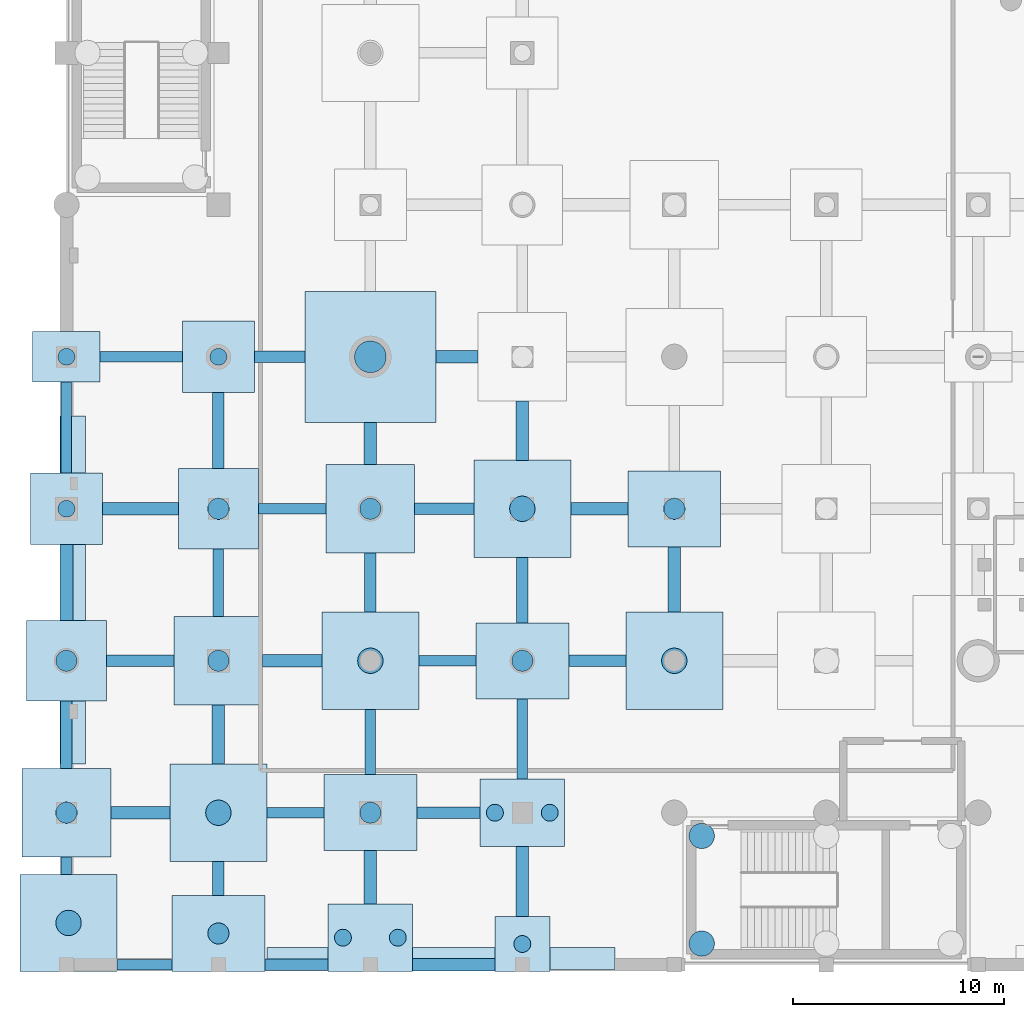
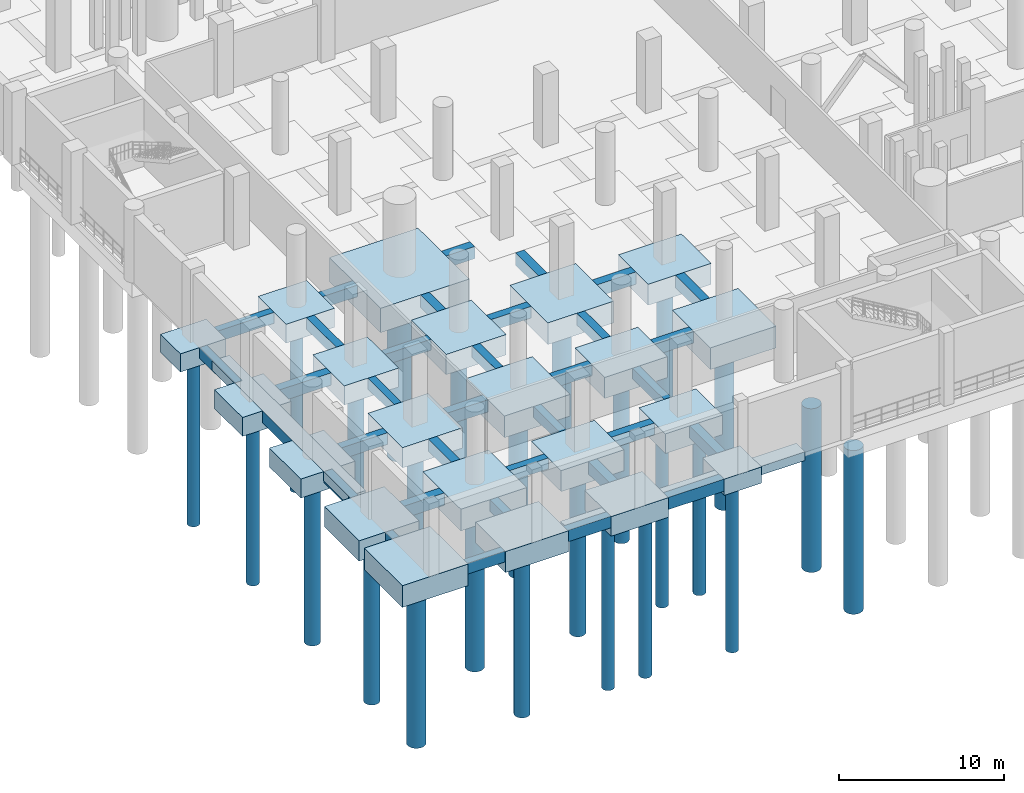
# One storey, part 1 of 37: 57 footings, 25 piles.
"""IFC4 building model written with IfcOpenShell, lengths in metres."""

from ifc_helpers import new_model, si_unit, direction, frame, origin, origin_2d, place, context, subcontext, project, spatial, rectangle, circle, extrude, material, material_profile, profile_set, type_object, element, save


model = new_model("IFC4")

# Units and contexts
model_context = context("Model", 3, precision=1e-05, world=origin(), true_north=direction((0.0, 1.0)))
body_context = subcontext(model_context, "Body", "Model", "MODEL_VIEW")
ifc_project = project(units=[si_unit("LENGTHUNIT", "METRE"), si_unit("AREAUNIT", "SQUARE_METRE"), si_unit("VOLUMEUNIT", "CUBIC_METRE"), si_unit("PLANEANGLEUNIT", "RADIAN"), si_unit("MASSUNIT", "GRAM", prefix="KILO")], contexts=[model_context])

# Site, building, storey
site_placement = place(None, origin())
site = spatial("IfcSite", under=ifc_project, at=site_placement, CompositionType="ELEMENT")
building_placement = place(site_placement, origin())
building = spatial("IfcBuilding", under=site, at=building_placement, Name="Qandorah Velis Arena", CompositionType="ELEMENT")
storey_placement = place(building_placement, frame((0.0, 0.0, -5.39990234375)))
storey = spatial("IfcBuildingStorey", under=building, at=storey_placement, Name="B1", CompositionType="ELEMENT", Elevation=-5.39990234375)

# Footings
ifc_material = material(Name="Concrete C40/50", Category="concrete")
footing_type_1 = type_object("IfcFootingType", Name="STR-CAP-PC1", PredefinedType="PILE_CAP", material=ifc_material)
footing_1_placement = place(storey_placement, frame((14.39990234375, 28.800048828125, -1.80029296875), z_axis=(0.0, 0.0, 1.0), x_axis=(1.0, 0.0, 0.0)))
element("IfcFooting", 1, at=footing_1_placement, inside=storey, type_object=footing_type_1, Name="Pile cap CAP-B1-042", PredefinedType="PILE_CAP", context=body_context, shape_type="SweptSolid", body=[
    extrude(rectangle(XDim=6.199951171875, YDim=6.199951171875, at=origin_2d()), origin(), (0.0, 0.0, 1.0), 1.800048828125),
])
footing_type_2 = type_object("IfcFootingType", Name="STR-CAP-PC10", PredefinedType="PILE_CAP", material=ifc_material)
footing_2_placement = place(storey_placement, frame((21.60009765625, 0.97998046875, -1.2001953125), z_axis=(0.0, 0.0, 1.0), x_axis=(1.0, 0.0, 0.0)))
element("IfcFooting", 2, at=footing_2_placement, inside=storey, type_object=footing_type_2, Name="Pile cap CAP-B1-057", PredefinedType="PILE_CAP", context=body_context, shape_type="SweptSolid", body=[
    extrude(rectangle(XDim=2.60009765625, YDim=2.60009765625, at=origin_2d()), origin(), (0.0, 0.0, 1.0), 1.199951171875),
])
footing_type_3 = type_object("IfcFootingType", Name="STR-CAP-PC14", PredefinedType="PILE_CAP", material=ifc_material)
for number, where, z_axis, x_axis, name in (
    (3, (14.39990234375, 1.280029296875, -1.4501953125), (0.0, 0.0, 1.0), (1.0, 0.0, 0.0), "Pile cap CAP-B1-038"),
    (4, (21.60009765625, 7.199951171875, -1.4501953125), (0.0, 0.0, 1.0), (1.0, 0.0, 0.0), "Pile cap CAP-B1-058"),
):
    element("IfcFooting", number, at=place(storey_placement, frame(where, z_axis=z_axis, x_axis=x_axis)), inside=storey, type_object=footing_type_3, Name=name, PredefinedType="PILE_CAP", context=body_context, shape_type="SweptSolid", body=[
        extrude(rectangle(XDim=4.0, YDim=3.199951171875, at=origin_2d()), origin(), (0.0, 0.0, 1.0), 1.449951171875),
    ])
footing_type_4 = type_object("IfcFootingType", Name="STR-CAP-PC15", PredefinedType="PILE_CAP", material=ifc_material)
for number, where, z_axis, x_axis, name in (
    (5, (7.199951171875, 1.47998046875, -1.55029296875), (0.0, 0.0, 1.0), (1.0, 0.0, 0.0), "Pile cap CAP-B1-019"),
    (6, (14.39990234375, 7.199951171875, -1.55029296875), (0.0, 0.0, 1.0), (1.0, 0.0, 0.0), "Pile cap CAP-B1-039"),
    (7, (21.60009765625, 14.39990234375, -1.55029296875), (0.0, 0.0, 1.0), (1.0, 0.0, 0.0), "Pile cap CAP-B1-059"),
    (8, (28.800048828125, 21.60009765625, -1.55029296875), (0.0, 0.0, 1.0), (1.0, 0.0, 0.0), "Pile cap CAP-B1-079"),
):
    element("IfcFooting", number, at=place(storey_placement, frame(where, z_axis=z_axis, x_axis=x_axis)), inside=storey, type_object=footing_type_4, Name=name, PredefinedType="PILE_CAP", context=body_context, shape_type="SweptSolid", body=[
        extrude(rectangle(XDim=4.39990234375, YDim=3.60009765625, at=origin_2d()), origin(), (0.0, 0.0, 1.0), 1.550048828125),
    ])
footing_type_5 = type_object("IfcFootingType", Name="STR-CAP-PC3", PredefinedType="PILE_CAP", material=ifc_material)
for number, where, z_axis, x_axis, name in (
    (9, (0.10009765625, 1.97998046875, -1.60009765625), (0.0, 0.0, 1.0), (1.0, 0.0, 0.0), "Pile cap CAP-B1-000"),
    (10, (7.199951171875, 7.199951171875, -1.60009765625), (0.0, 0.0, 1.0), (1.0, 0.0, 0.0), "Pile cap CAP-B1-020"),
    (11, (14.39990234375, 14.39990234375, -1.60009765625), (0.0, 0.0, 1.0), (1.0, 0.0, 0.0), "Pile cap CAP-B1-040"),
    (12, (21.60009765625, 21.60009765625, -1.60009765625), (0.0, 0.0, 1.0), (1.0, 0.0, 0.0), "Pile cap CAP-B1-060"),
    (13, (28.800048828125, 14.39990234375, -1.60009765625), (0.0, 0.0, 1.0), (1.0, 0.0, 0.0), "Pile cap CAP-B1-078"),
):
    element("IfcFooting", number, at=place(storey_placement, frame(where, z_axis=z_axis, x_axis=x_axis)), inside=storey, type_object=footing_type_5, Name=name, PredefinedType="PILE_CAP", context=body_context, shape_type="SweptSolid", body=[
        extrude(rectangle(XDim=4.60009765625, YDim=4.60009765625, at=origin_2d()), origin(), (0.0, 0.0, 1.0), 1.60009765625),
    ])
footing_type_6 = type_object("IfcFootingType", Name="STR-CAP-PC4", PredefinedType="PILE_CAP", material=ifc_material)
for number, where, z_axis, x_axis, name in (
    (14, (0.0, 7.199951171875, -1.5), (0.0, 0.0, 1.0), (1.0, 0.0, 0.0), "Pile cap CAP-B1-001"),
    (15, (7.199951171875, 14.39990234375, -1.5), (0.0, 0.0, 1.0), (1.0, 0.0, 0.0), "Pile cap CAP-B1-021"),
    (16, (14.39990234375, 21.60009765625, -1.5), (0.0, 0.0, 1.0), (1.0, 0.0, 0.0), "Pile cap CAP-B1-041"),
):
    element("IfcFooting", number, at=place(storey_placement, frame(where, z_axis=z_axis, x_axis=x_axis)), inside=storey, type_object=footing_type_6, Name=name, PredefinedType="PILE_CAP", context=body_context, shape_type="SweptSolid", body=[
        extrude(rectangle(XDim=4.199951171875, YDim=4.199951171875, at=origin_2d()), origin(), (0.0, 0.0, 1.0), 1.5),
    ])
footing_type_7 = type_object("IfcFootingType", Name="STR-CAP-PC5", PredefinedType="PILE_CAP", material=ifc_material)
for number, where, z_axis, x_axis, name in (
    (17, (0.0, 14.39990234375, -1.400146484375), (0.0, 0.0, 1.0), (1.0, 0.0, 0.0), "Pile cap CAP-B1-002"),
    (18, (7.199951171875, 21.60009765625, -1.400146484375), (0.0, 0.0, 1.0), (1.0, 0.0, 0.0), "Pile cap CAP-B1-022"),
):
    element("IfcFooting", number, at=place(storey_placement, frame(where, z_axis=z_axis, x_axis=x_axis)), inside=storey, type_object=footing_type_7, Name=name, PredefinedType="PILE_CAP", context=body_context, shape_type="SweptSolid", body=[
        extrude(rectangle(XDim=3.800048828125, YDim=3.800048828125, at=origin_2d()), origin(), (0.0, 0.0, 1.0), 1.39990234375),
    ])
footing_type_8 = type_object("IfcFootingType", Name="STR-CAP-PC6", PredefinedType="PILE_CAP", material=ifc_material)
for number, where, z_axis, x_axis, name in (
    (19, (0.0, 21.60009765625, -1.400146484375), (0.0, 0.0, 1.0), (1.0, 0.0, 0.0), "Pile cap CAP-B1-003"),
    (20, (7.199951171875, 28.800048828125, -1.400146484375), (0.0, 0.0, 1.0), (1.0, 0.0, 0.0), "Pile cap CAP-B1-023"),
):
    element("IfcFooting", number, at=place(storey_placement, frame(where, z_axis=z_axis, x_axis=x_axis)), inside=storey, type_object=footing_type_8, Name=name, PredefinedType="PILE_CAP", context=body_context, shape_type="SweptSolid", body=[
        extrude(rectangle(XDim=3.39990234375, YDim=3.39990234375, at=origin_2d()), origin(), (0.0, 0.0, 1.0), 1.39990234375),
    ])
footing_type_9 = type_object("IfcFootingType", Name="STR-CAP-PC7", PredefinedType="PILE_CAP", material=ifc_material)
footing_3_placement = place(storey_placement, frame((0.0, 28.800048828125, -1.35009765625), z_axis=(0.0, 0.0, 1.0), x_axis=(1.0, 0.0, 0.0)))
element("IfcFooting", 21, at=footing_3_placement, inside=storey, type_object=footing_type_9, Name="Pile cap CAP-B1-004", PredefinedType="PILE_CAP", context=body_context, shape_type="SweptSolid", body=[
    extrude(rectangle(XDim=3.199951171875, YDim=2.39990234375, at=origin_2d()), origin(), (0.0, 0.0, 1.0), 1.35009765625),
])
ifc_material_profile_1 = material_profile(ifc_material, rectangle(XDim=0.60009765625, YDim=0.89990234375, at=origin_2d()), Name="GB1 600x900")
ifc_profile_set_1 = profile_set([ifc_material_profile_1], Name="Concrete C40/50")
footing_type_10 = type_object("IfcFootingType", Name="STR-GB-FB1", PredefinedType="FOOTING_BEAM", material=ifc_profile_set_1)
footing_4_placement = place(storey_placement, frame((0.0, 16.300048828125, -0.4501953125), z_axis=(0.0, 1.0, 0.0), x_axis=(-1.0, 0.0, 0.0)))
element("IfcFooting", 22, at=footing_4_placement, inside=storey, type_object=footing_type_10, Name="Ground tie beam GB-003", PredefinedType="FOOTING_BEAM", context=body_context, shape_type="SweptSolid", body=[
    extrude(rectangle(XDim=0.60009765625, YDim=0.89990234375, at=origin_2d()), origin(), (0.0, 0.0, 1.0), 3.599853515625),
])
footing_5_placement = place(storey_placement, frame((7.199951171875, 9.5, -0.4501953125), z_axis=(0.0, 1.0, 0.0), x_axis=(-1.0, 0.0, 0.0)))
element("IfcFooting", 23, at=footing_5_placement, inside=storey, type_object=footing_type_10, Name="Ground tie beam GB-012", PredefinedType="FOOTING_BEAM", context=body_context, shape_type="SweptSolid", body=[
    extrude(rectangle(XDim=0.60009765625, YDim=0.89990234375, at=origin_2d()), origin(), (0.0, 0.0, 1.0), 2.800048828125),
])
footing_6_placement = place(storey_placement, frame((14.39990234375, 2.8798828125, -0.4501953125), z_axis=(0.0, 1.0, 0.0), x_axis=(-1.0, 0.0, 0.0)))
element("IfcFooting", 24, at=footing_6_placement, inside=storey, type_object=footing_type_10, Name="Ground tie beam GB-021", PredefinedType="FOOTING_BEAM", context=body_context, shape_type="SweptSolid", body=[
    extrude(rectangle(XDim=0.60009765625, YDim=0.89990234375, at=origin_2d()), origin(), (0.0, 0.0, 1.0), 2.52001953125),
])
footing_7_placement = place(storey_placement, frame((14.39990234375, 23.699951171875, -0.4501953125), z_axis=(0.0, 1.0, 0.0), x_axis=(-1.0, 0.0, 0.0)))
element("IfcFooting", 25, at=footing_7_placement, inside=storey, type_object=footing_type_10, Name="Ground tie beam GB-024", PredefinedType="FOOTING_BEAM", context=body_context, shape_type="SweptSolid", body=[
    extrude(rectangle(XDim=0.60009765625, YDim=0.89990234375, at=origin_2d()), origin(), (0.0, 0.0, 1.0), 2.0),
])
footing_8_placement = place(storey_placement, frame((21.60009765625, 2.280029296875, -0.4501953125), z_axis=(0.0, 1.0, 0.0), x_axis=(-1.0, 0.0, 0.0)))
element("IfcFooting", 26, at=footing_8_placement, inside=storey, type_object=footing_type_10, Name="Ground tie beam GB-039", PredefinedType="FOOTING_BEAM", context=body_context, shape_type="SweptSolid", body=[
    extrude(rectangle(XDim=0.60009765625, YDim=0.89990234375, at=origin_2d()), origin(), (0.0, 0.0, 1.0), 3.320068359375),
])
footing_9_placement = place(storey_placement, frame((21.60009765625, 23.89990234375, -0.4501953125), z_axis=(0.0, 1.0, 0.0), x_axis=(-1.0, 0.0, 0.0)))
element("IfcFooting", 27, at=footing_9_placement, inside=storey, type_object=footing_type_10, Name="Ground tie beam GB-042", PredefinedType="FOOTING_BEAM", context=body_context, shape_type="SweptSolid", body=[
    extrude(rectangle(XDim=0.60009765625, YDim=0.89990234375, at=origin_2d()), origin(), (0.0, 0.0, 1.0), 2.800048828125),
])
footing_10_placement = place(storey_placement, frame((28.800048828125, 16.699951171875, -0.4501953125), z_axis=(0.0, 1.0, 0.0), x_axis=(-1.0, 0.0, 0.0)))
element("IfcFooting", 28, at=footing_10_placement, inside=storey, type_object=footing_type_10, Name="Ground tie beam GB-057", PredefinedType="FOOTING_BEAM", context=body_context, shape_type="SweptSolid", body=[
    extrude(rectangle(XDim=0.60009765625, YDim=0.89990234375, at=origin_2d()), origin(), (0.0, 0.0, 1.0), 3.10009765625),
])
footing_11_placement = place(storey_placement, frame((16.39990234375, 0.0, -0.4501953125), z_axis=(1.0, 0.0, 0.0), x_axis=(0.0, 1.0, 0.0)))
element("IfcFooting", 29, at=footing_11_placement, inside=storey, type_object=footing_type_10, Name="Ground tie beam GB-273", PredefinedType="FOOTING_BEAM", context=body_context, shape_type="SweptSolid", body=[
    extrude(rectangle(XDim=0.60009765625, YDim=0.89990234375, at=origin_2d()), origin(), (0.0, 0.0, 1.0), 3.900146484375),
])
footing_12_placement = place(storey_placement, frame((2.10009765625, 7.199951171875, -0.4501953125), z_axis=(1.0, 0.0, 0.0), x_axis=(0.0, 1.0, 0.0)))
element("IfcFooting", 30, at=footing_12_placement, inside=storey, type_object=footing_type_10, Name="Ground tie beam GB-279", PredefinedType="FOOTING_BEAM", context=body_context, shape_type="SweptSolid", body=[
    extrude(rectangle(XDim=0.60009765625, YDim=0.89990234375, at=origin_2d()), origin(), (0.0, 0.0, 1.0), 2.7998046875),
])
footing_13_placement = place(storey_placement, frame((9.300048828125, 14.39990234375, -0.4501953125), z_axis=(1.0, 0.0, 0.0), x_axis=(0.0, 1.0, 0.0)))
element("IfcFooting", 31, at=footing_13_placement, inside=storey, type_object=footing_type_10, Name="Ground tie beam GB-294", PredefinedType="FOOTING_BEAM", context=body_context, shape_type="SweptSolid", body=[
    extrude(rectangle(XDim=0.60009765625, YDim=0.89990234375, at=origin_2d()), origin(), (0.0, 0.0, 1.0), 2.800048828125),
])
footing_14_placement = place(storey_placement, frame((1.699951171875, 21.60009765625, -0.4501953125), z_axis=(1.0, 0.0, 0.0), x_axis=(0.0, 1.0, 0.0)))
element("IfcFooting", 32, at=footing_14_placement, inside=storey, type_object=footing_type_10, Name="Ground tie beam GB-315", PredefinedType="FOOTING_BEAM", context=body_context, shape_type="SweptSolid", body=[
    extrude(rectangle(XDim=0.60009765625, YDim=0.89990234375, at=origin_2d()), origin(), (0.0, 0.0, 1.0), 3.60009765625),
])
footing_15_placement = place(storey_placement, frame((23.89990234375, 21.60009765625, -0.4501953125), z_axis=(1.0, 0.0, 0.0), x_axis=(0.0, 1.0, 0.0)))
element("IfcFooting", 33, at=footing_15_placement, inside=storey, type_object=footing_type_10, Name="Ground tie beam GB-318", PredefinedType="FOOTING_BEAM", context=body_context, shape_type="SweptSolid", body=[
    extrude(rectangle(XDim=0.60009765625, YDim=0.89990234375, at=origin_2d()), origin(), (0.0, 0.0, 1.0), 2.7001953125),
])
footing_16_placement = place(storey_placement, frame((17.5, 28.800048828125, -0.4501953125), z_axis=(1.0, 0.0, 0.0), x_axis=(0.0, 1.0, 0.0)))
element("IfcFooting", 34, at=footing_16_placement, inside=storey, type_object=footing_type_10, Name="Ground tie beam GB-339", PredefinedType="FOOTING_BEAM", context=body_context, shape_type="SweptSolid", body=[
    extrude(rectangle(XDim=0.60009765625, YDim=0.89990234375, at=origin_2d()), origin(), (0.0, 0.0, 1.0), 2.0),
])
ifc_material_profile_2 = material_profile(ifc_material, rectangle(XDim=0.5, YDim=0.800048828125, at=origin_2d()), Name="GB2 500x800")
ifc_profile_set_2 = profile_set([ifc_material_profile_2], Name="Concrete C40/50")
footing_type_11 = type_object("IfcFootingType", Name="STR-GB-FB2", PredefinedType="FOOTING_BEAM", material=ifc_profile_set_2)
footing_17_placement = place(storey_placement, frame((0.0, 4.280029296875, -0.400146484375), z_axis=(0.0, 1.0, 0.0), x_axis=(-1.0, 0.0, 0.0)))
element("IfcFooting", 35, at=footing_17_placement, inside=storey, type_object=footing_type_11, Name="Ground tie beam GB-001", PredefinedType="FOOTING_BEAM", context=body_context, shape_type="SweptSolid", body=[
    extrude(rectangle(XDim=0.5, YDim=0.800048828125, at=origin_2d()), origin(), (0.0, 0.0, 1.0), 0.820068359375),
])
footing_18_placement = place(storey_placement, frame((0.0, 23.300048828125, -0.400146484375), z_axis=(0.0, 1.0, 0.0), x_axis=(-1.0, 0.0, 0.0)))
element("IfcFooting", 36, at=footing_18_placement, inside=storey, type_object=footing_type_11, Name="Ground tie beam GB-004", PredefinedType="FOOTING_BEAM", context=body_context, shape_type="SweptSolid", body=[
    extrude(rectangle(XDim=0.5, YDim=0.800048828125, at=origin_2d()), origin(), (0.0, 0.0, 1.0), 4.300048828125),
])
footing_19_placement = place(storey_placement, frame((7.199951171875, 16.5, -0.400146484375), z_axis=(0.0, 1.0, 0.0), x_axis=(-1.0, 0.0, 0.0)))
element("IfcFooting", 37, at=footing_19_placement, inside=storey, type_object=footing_type_11, Name="Ground tie beam GB-013", PredefinedType="FOOTING_BEAM", context=body_context, shape_type="SweptSolid", body=[
    extrude(rectangle(XDim=0.5, YDim=0.800048828125, at=origin_2d()), origin(), (0.0, 0.0, 1.0), 3.199951171875),
])
footing_20_placement = place(storey_placement, frame((14.39990234375, 9.0, -0.400146484375), z_axis=(0.0, 1.0, 0.0), x_axis=(-1.0, 0.0, 0.0)))
element("IfcFooting", 38, at=footing_20_placement, inside=storey, type_object=footing_type_11, Name="Ground tie beam GB-022", PredefinedType="FOOTING_BEAM", context=body_context, shape_type="SweptSolid", body=[
    extrude(rectangle(XDim=0.5, YDim=0.800048828125, at=origin_2d()), origin(), (0.0, 0.0, 1.0), 3.10009765625),
])
footing_21_placement = place(storey_placement, frame((21.60009765625, 8.800048828125, -0.400146484375), z_axis=(0.0, 1.0, 0.0), x_axis=(-1.0, 0.0, 0.0)))
element("IfcFooting", 39, at=footing_21_placement, inside=storey, type_object=footing_type_11, Name="Ground tie beam GB-040", PredefinedType="FOOTING_BEAM", context=body_context, shape_type="SweptSolid", body=[
    extrude(rectangle(XDim=0.5, YDim=0.800048828125, at=origin_2d()), origin(), (0.0, 0.0, 1.0), 3.800048828125),
])
footing_22_placement = place(storey_placement, frame((2.39990234375, 0.0, -0.400146484375), z_axis=(1.0, 0.0, 0.0), x_axis=(0.0, 1.0, 0.0)))
element("IfcFooting", 40, at=footing_22_placement, inside=storey, type_object=footing_type_11, Name="Ground tie beam GB-271", PredefinedType="FOOTING_BEAM", context=body_context, shape_type="SweptSolid", body=[
    extrude(rectangle(XDim=0.5, YDim=0.800048828125, at=origin_2d()), origin(), (0.0, 0.0, 1.0), 2.60009765625),
])
for number, where, z_axis, x_axis, name in (
    (41, (9.5, 7.199951171875, -0.400146484375), (1.0, 0.0, 0.0), (0.0, 1.0, 0.0), "Ground tie beam GB-280"),
    (42, (16.699951171875, 14.39990234375, -0.400146484375), (1.0, 0.0, 0.0), (0.0, 1.0, 0.0), "Ground tie beam GB-295"),
):
    element("IfcFooting", number, at=place(storey_placement, frame(where, z_axis=z_axis, x_axis=x_axis)), inside=storey, type_object=footing_type_11, Name=name, PredefinedType="FOOTING_BEAM", context=body_context, shape_type="SweptSolid", body=[
        extrude(rectangle(XDim=0.5, YDim=0.800048828125, at=origin_2d()), origin(), (0.0, 0.0, 1.0), 2.699951171875),
    ])
footing_23_placement = place(storey_placement, frame((9.10009765625, 21.60009765625, -0.400146484375), z_axis=(1.0, 0.0, 0.0), x_axis=(0.0, 1.0, 0.0)))
element("IfcFooting", 43, at=footing_23_placement, inside=storey, type_object=footing_type_11, Name="Ground tie beam GB-316", PredefinedType="FOOTING_BEAM", context=body_context, shape_type="SweptSolid", body=[
    extrude(rectangle(XDim=0.5, YDim=0.800048828125, at=origin_2d()), origin(), (0.0, 0.0, 1.0), 3.199951171875),
])
footing_24_placement = place(storey_placement, frame((1.60009765625, 28.800048828125, -0.400146484375), z_axis=(1.0, 0.0, 0.0), x_axis=(0.0, 1.0, 0.0)))
element("IfcFooting", 44, at=footing_24_placement, inside=storey, type_object=footing_type_11, Name="Ground tie beam GB-337", PredefinedType="FOOTING_BEAM", context=body_context, shape_type="SweptSolid", body=[
    extrude(rectangle(XDim=0.5, YDim=0.800048828125, at=origin_2d()), origin(), (0.0, 0.0, 1.0), 3.89990234375),
])
ifc_material_profile_3 = material_profile(ifc_material, rectangle(XDim=0.550048828125, YDim=0.85009765625, at=origin_2d()), Name="GB3 550x850")
ifc_profile_set_3 = profile_set([ifc_material_profile_3], Name="Concrete C40/50")
footing_type_12 = type_object("IfcFootingType", Name="STR-GB-FB3", PredefinedType="FOOTING_BEAM", material=ifc_profile_set_3)
footing_25_placement = place(storey_placement, frame((0.0, 9.300048828125, -0.425048828125), z_axis=(0.0, 1.0, 0.0), x_axis=(-1.0, 0.0, 0.0)))
element("IfcFooting", 45, at=footing_25_placement, inside=storey, type_object=footing_type_12, Name="Ground tie beam GB-002", PredefinedType="FOOTING_BEAM", context=body_context, shape_type="SweptSolid", body=[
    extrude(rectangle(XDim=0.550048828125, YDim=0.85009765625, at=origin_2d()), origin(), (0.0, 0.0, 1.0), 3.199951171875),
])
footing_26_placement = place(storey_placement, frame((7.199951171875, 3.280029296875, -0.425048828125), z_axis=(0.0, 1.0, 0.0), x_axis=(-1.0, 0.0, 0.0)))
element("IfcFooting", 46, at=footing_26_placement, inside=storey, type_object=footing_type_12, Name="Ground tie beam GB-011", PredefinedType="FOOTING_BEAM", context=body_context, shape_type="SweptSolid", body=[
    extrude(rectangle(XDim=0.550048828125, YDim=0.85009765625, at=origin_2d()), origin(), (0.0, 0.0, 1.0), 1.619873046875),
])
footing_27_placement = place(storey_placement, frame((7.199951171875, 23.5, -0.425048828125), z_axis=(0.0, 1.0, 0.0), x_axis=(-1.0, 0.0, 0.0)))
element("IfcFooting", 47, at=footing_27_placement, inside=storey, type_object=footing_type_12, Name="Ground tie beam GB-014", PredefinedType="FOOTING_BEAM", context=body_context, shape_type="SweptSolid", body=[
    extrude(rectangle(XDim=0.550048828125, YDim=0.85009765625, at=origin_2d()), origin(), (0.0, 0.0, 1.0), 3.60009765625),
])
footing_28_placement = place(storey_placement, frame((14.39990234375, 16.699951171875, -0.425048828125), z_axis=(0.0, 1.0, 0.0), x_axis=(-1.0, 0.0, 0.0)))
element("IfcFooting", 48, at=footing_28_placement, inside=storey, type_object=footing_type_12, Name="Ground tie beam GB-023", PredefinedType="FOOTING_BEAM", context=body_context, shape_type="SweptSolid", body=[
    extrude(rectangle(XDim=0.550048828125, YDim=0.85009765625, at=origin_2d()), origin(), (0.0, 0.0, 1.0), 2.800048828125),
])
footing_29_placement = place(storey_placement, frame((21.60009765625, 16.199951171875, -0.425048828125), z_axis=(0.0, 1.0, 0.0), x_axis=(-1.0, 0.0, 0.0)))
element("IfcFooting", 49, at=footing_29_placement, inside=storey, type_object=footing_type_12, Name="Ground tie beam GB-041", PredefinedType="FOOTING_BEAM", context=body_context, shape_type="SweptSolid", body=[
    extrude(rectangle(XDim=0.550048828125, YDim=0.85009765625, at=origin_2d()), origin(), (0.0, 0.0, 1.0), 3.10009765625),
])
for number, where, z_axis, x_axis, name in (
    (50, (9.39990234375, 0.0, -0.425048828125), (1.0, 0.0, 0.0), (0.0, 1.0, 0.0), "Ground tie beam GB-272"),
    (51, (16.60009765625, 7.199951171875, -0.425048828125), (1.0, 0.0, 0.0), (0.0, 1.0, 0.0), "Ground tie beam GB-281"),
):
    element("IfcFooting", number, at=place(storey_placement, frame(where, z_axis=z_axis, x_axis=x_axis)), inside=storey, type_object=footing_type_12, Name=name, PredefinedType="FOOTING_BEAM", context=body_context, shape_type="SweptSolid", body=[
        extrude(rectangle(XDim=0.550048828125, YDim=0.85009765625, at=origin_2d()), origin(), (0.0, 0.0, 1.0), 3.0),
    ])
footing_30_placement = place(storey_placement, frame((1.89990234375, 14.39990234375, -0.425048828125), z_axis=(1.0, 0.0, 0.0), x_axis=(0.0, 1.0, 0.0)))
element("IfcFooting", 52, at=footing_30_placement, inside=storey, type_object=footing_type_12, Name="Ground tie beam GB-293", PredefinedType="FOOTING_BEAM", context=body_context, shape_type="SweptSolid", body=[
    extrude(rectangle(XDim=0.550048828125, YDim=0.85009765625, at=origin_2d()), origin(), (0.0, 0.0, 1.0), 3.2001953125),
])
footing_31_placement = place(storey_placement, frame((23.800048828125, 14.39990234375, -0.425048828125), z_axis=(1.0, 0.0, 0.0), x_axis=(0.0, 1.0, 0.0)))
element("IfcFooting", 53, at=footing_31_placement, inside=storey, type_object=footing_type_12, Name="Ground tie beam GB-296", PredefinedType="FOOTING_BEAM", context=body_context, shape_type="SweptSolid", body=[
    extrude(rectangle(XDim=0.550048828125, YDim=0.85009765625, at=origin_2d()), origin(), (0.0, 0.0, 1.0), 2.699951171875),
])
footing_32_placement = place(storey_placement, frame((16.5, 21.60009765625, -0.425048828125), z_axis=(1.0, 0.0, 0.0), x_axis=(0.0, 1.0, 0.0)))
element("IfcFooting", 54, at=footing_32_placement, inside=storey, type_object=footing_type_12, Name="Ground tie beam GB-317", PredefinedType="FOOTING_BEAM", context=body_context, shape_type="SweptSolid", body=[
    extrude(rectangle(XDim=0.550048828125, YDim=0.85009765625, at=origin_2d()), origin(), (0.0, 0.0, 1.0), 2.800048828125),
])
footing_33_placement = place(storey_placement, frame((8.89990234375, 28.800048828125, -0.425048828125), z_axis=(1.0, 0.0, 0.0), x_axis=(0.0, 1.0, 0.0)))
element("IfcFooting", 55, at=footing_33_placement, inside=storey, type_object=footing_type_12, Name="Ground tie beam GB-338", PredefinedType="FOOTING_BEAM", context=body_context, shape_type="SweptSolid", body=[
    extrude(rectangle(XDim=0.550048828125, YDim=0.85009765625, at=origin_2d()), origin(), (0.0, 0.0, 1.0), 2.400146484375),
])

# Piles
ifc_material_profile_4 = material_profile(ifc_material, circle(Radius=0.5, at=origin_2d()), Name="BORED PILE D1000")
ifc_profile_set_4 = profile_set([ifc_material_profile_4], Name="Concrete C40/50")
pile_type_1 = type_object("IfcPileType", Name="STR-PILE-BP1000", PredefinedType="BORED", material=ifc_profile_set_4)
pile_1_placement = place(storey_placement, frame((0.0, 7.199951171875, -1.400146484375), z_axis=(0.0, 0.0, -1.0), x_axis=(1.0, 0.0, 0.0)))
element("IfcPile", 56, at=pile_1_placement, inside=storey, type_object=pile_type_1, Name="Bored pile PILE-CAP-B1-001-11", PredefinedType="BORED", context=body_context, shape_type="SweptSolid", body=[
    extrude(circle(Radius=0.5, at=origin_2d()), origin(), (0.0, 0.0, 1.0), 12.39990234375),
])
pile_2_placement = place(storey_placement, frame((0.0, 14.39990234375, -1.300048828125), z_axis=(0.0, 0.0, -1.0), x_axis=(1.0, 0.0, 0.0)))
element("IfcPile", 57, at=pile_2_placement, inside=storey, type_object=pile_type_1, Name="Bored pile PILE-CAP-B1-002-11", PredefinedType="BORED", context=body_context, shape_type="SweptSolid", body=[
    extrude(circle(Radius=0.5, at=origin_2d()), origin(), (0.0, 0.0, 1.0), 12.5),
])
pile_3_placement = place(storey_placement, frame((7.199951171875, 1.47998046875, -1.4501953125), z_axis=(0.0, 0.0, -1.0), x_axis=(1.0, 0.0, 0.0)))
element("IfcPile", 58, at=pile_3_placement, inside=storey, type_object=pile_type_1, Name="Bored pile PILE-CAP-B1-019-11", PredefinedType="BORED", context=body_context, shape_type="SweptSolid", body=[
    extrude(circle(Radius=0.5, at=origin_2d()), origin(), (0.0, 0.0, 1.0), 12.35009765625),
])
pile_4_placement = place(storey_placement, frame((7.199951171875, 14.39990234375, -1.400146484375), z_axis=(0.0, 0.0, -1.0), x_axis=(1.0, 0.0, 0.0)))
element("IfcPile", 59, at=pile_4_placement, inside=storey, type_object=pile_type_1, Name="Bored pile PILE-CAP-B1-021-11", PredefinedType="BORED", context=body_context, shape_type="SweptSolid", body=[
    extrude(circle(Radius=0.5, at=origin_2d()), origin(), (0.0, 0.0, 1.0), 12.39990234375),
])
pile_5_placement = place(storey_placement, frame((7.199951171875, 21.60009765625, -1.300048828125), z_axis=(0.0, 0.0, -1.0), x_axis=(1.0, 0.0, 0.0)))
element("IfcPile", 60, at=pile_5_placement, inside=storey, type_object=pile_type_1, Name="Bored pile PILE-CAP-B1-022-11", PredefinedType="BORED", context=body_context, shape_type="SweptSolid", body=[
    extrude(circle(Radius=0.5, at=origin_2d()), origin(), (0.0, 0.0, 1.0), 12.5),
])
pile_6_placement = place(storey_placement, frame((14.39990234375, 7.199951171875, -1.4501953125), z_axis=(0.0, 0.0, -1.0), x_axis=(1.0, 0.0, 0.0)))
element("IfcPile", 61, at=pile_6_placement, inside=storey, type_object=pile_type_1, Name="Bored pile PILE-CAP-B1-039-11", PredefinedType="BORED", context=body_context, shape_type="SweptSolid", body=[
    extrude(circle(Radius=0.5, at=origin_2d()), origin(), (0.0, 0.0, 1.0), 12.35009765625),
])
pile_7_placement = place(storey_placement, frame((14.39990234375, 21.60009765625, -1.400146484375), z_axis=(0.0, 0.0, -1.0), x_axis=(1.0, 0.0, 0.0)))
element("IfcPile", 62, at=pile_7_placement, inside=storey, type_object=pile_type_1, Name="Bored pile PILE-CAP-B1-041-11", PredefinedType="BORED", context=body_context, shape_type="SweptSolid", body=[
    extrude(circle(Radius=0.5, at=origin_2d()), origin(), (0.0, 0.0, 1.0), 12.39990234375),
])
for number, where, z_axis, x_axis, name in (
    (63, (21.60009765625, 14.39990234375, -1.4501953125), (0.0, 0.0, -1.0), (1.0, 0.0, 0.0), "Bored pile PILE-CAP-B1-059-11"),
    (64, (28.800048828125, 21.60009765625, -1.4501953125), (0.0, 0.0, -1.0), (1.0, 0.0, 0.0), "Bored pile PILE-CAP-B1-079-11"),
):
    element("IfcPile", number, at=place(storey_placement, frame(where, z_axis=z_axis, x_axis=x_axis)), inside=storey, type_object=pile_type_1, Name=name, PredefinedType="BORED", context=body_context, shape_type="SweptSolid", body=[
        extrude(circle(Radius=0.5, at=origin_2d()), origin(), (0.0, 0.0, 1.0), 12.35009765625),
    ])
ifc_material_profile_5 = material_profile(ifc_material, circle(Radius=0.60009765625, at=origin_2d()), Name="BORED PILE D1200")
ifc_profile_set_5 = profile_set([ifc_material_profile_5], Name="Concrete C40/50")
pile_type_2 = type_object("IfcPileType", Name="STR-PILE-BP1200", PredefinedType="BORED", material=ifc_profile_set_5)
for number, where, z_axis, x_axis, name in (
    (65, (30.10009765625, 1.0, -1.7001953125), (0.0, 0.0, -1.0), (1.0, 0.0, 0.0), "Bored pile PILE-CAP-CORE-CORE-01-11"),
    (66, (30.10009765625, 6.10009765625, -1.7001953125), (0.0, 0.0, -1.0), (1.0, 0.0, 0.0), "Bored pile PILE-CAP-CORE-CORE-01-12"),
):
    element("IfcPile", number, at=place(storey_placement, frame(where, z_axis=z_axis, x_axis=x_axis)), inside=storey, type_object=pile_type_2, Name=name, PredefinedType="BORED", context=body_context, shape_type="SweptSolid", body=[
        extrude(circle(Radius=0.60009765625, at=origin_2d()), origin(), (0.0, 0.0, 1.0), 12.10009765625),
    ])
for number, where, z_axis, x_axis, name in (
    (67, (0.10009765625, 1.97998046875, -1.5), (0.0, 0.0, -1.0), (1.0, 0.0, 0.0), "Bored pile PILE-CAP-B1-000-11"),
    (68, (7.199951171875, 7.199951171875, -1.5), (0.0, 0.0, -1.0), (1.0, 0.0, 0.0), "Bored pile PILE-CAP-B1-020-11"),
    (69, (14.39990234375, 14.39990234375, -1.5), (0.0, 0.0, -1.0), (1.0, 0.0, 0.0), "Bored pile PILE-CAP-B1-040-11"),
    (70, (21.60009765625, 21.60009765625, -1.5), (0.0, 0.0, -1.0), (1.0, 0.0, 0.0), "Bored pile PILE-CAP-B1-060-11"),
    (71, (28.800048828125, 14.39990234375, -1.5), (0.0, 0.0, -1.0), (1.0, 0.0, 0.0), "Bored pile PILE-CAP-B1-078-11"),
):
    element("IfcPile", number, at=place(storey_placement, frame(where, z_axis=z_axis, x_axis=x_axis)), inside=storey, type_object=pile_type_2, Name=name, PredefinedType="BORED", context=body_context, shape_type="SweptSolid", body=[
        extrude(circle(Radius=0.60009765625, at=origin_2d()), origin(), (0.0, 0.0, 1.0), 12.300048828125),
    ])
ifc_material_profile_6 = material_profile(ifc_material, circle(Radius=0.75, at=origin_2d()), Name="BORED PILE D1500")
ifc_profile_set_6 = profile_set([ifc_material_profile_6], Name="Concrete C40/50")
pile_type_3 = type_object("IfcPileType", Name="STR-PILE-BP1500", PredefinedType="BORED", material=ifc_profile_set_6)
pile_8_placement = place(storey_placement, frame((14.39990234375, 28.800048828125, -1.7001953125), z_axis=(0.0, 0.0, -1.0), x_axis=(1.0, 0.0, 0.0)))
element("IfcPile", 72, at=pile_8_placement, inside=storey, type_object=pile_type_3, Name="Bored pile PILE-CAP-B1-042-11", PredefinedType="BORED", context=body_context, shape_type="SweptSolid", body=[
    extrude(circle(Radius=0.75, at=origin_2d()), origin(), (0.0, 0.0, 1.0), 12.10009765625),
])
ifc_material_profile_7 = material_profile(ifc_material, circle(Radius=0.39990234375, at=origin_2d()), Name="BORED PILE D800")
ifc_profile_set_7 = profile_set([ifc_material_profile_7], Name="Concrete C40/50")
pile_type_4 = type_object("IfcPileType", Name="STR-PILE-BP800", PredefinedType="BORED", material=ifc_profile_set_7)
pile_9_placement = place(storey_placement, frame((0.0, 21.60009765625, -1.300048828125), z_axis=(0.0, 0.0, -1.0), x_axis=(1.0, 0.0, 0.0)))
element("IfcPile", 73, at=pile_9_placement, inside=storey, type_object=pile_type_4, Name="Bored pile PILE-CAP-B1-003-11", PredefinedType="BORED", context=body_context, shape_type="SweptSolid", body=[
    extrude(circle(Radius=0.39990234375, at=origin_2d()), origin(), (0.0, 0.0, 1.0), 12.5),
])
pile_10_placement = place(storey_placement, frame((0.0, 28.800048828125, -1.25), z_axis=(0.0, 0.0, -1.0), x_axis=(1.0, 0.0, 0.0)))
element("IfcPile", 74, at=pile_10_placement, inside=storey, type_object=pile_type_4, Name="Bored pile PILE-CAP-B1-004-11", PredefinedType="BORED", context=body_context, shape_type="SweptSolid", body=[
    extrude(circle(Radius=0.39990234375, at=origin_2d()), origin(), (0.0, 0.0, 1.0), 12.550048828125),
])
pile_11_placement = place(storey_placement, frame((7.199951171875, 28.800048828125, -1.300048828125), z_axis=(0.0, 0.0, -1.0), x_axis=(1.0, 0.0, 0.0)))
element("IfcPile", 75, at=pile_11_placement, inside=storey, type_object=pile_type_4, Name="Bored pile PILE-CAP-B1-023-11", PredefinedType="BORED", context=body_context, shape_type="SweptSolid", body=[
    extrude(circle(Radius=0.39990234375, at=origin_2d()), origin(), (0.0, 0.0, 1.0), 12.5),
])
for number, where, z_axis, x_axis, name in (
    (76, (13.10009765625, 1.280029296875, -1.35009765625), (0.0, 0.0, -1.0), (1.0, 0.0, 0.0), "Bored pile PILE-CAP-B1-038-11"),
    (77, (15.699951171875, 1.280029296875, -1.35009765625), (0.0, 0.0, -1.0), (1.0, 0.0, 0.0), "Bored pile PILE-CAP-B1-038-21"),
):
    element("IfcPile", number, at=place(storey_placement, frame(where, z_axis=z_axis, x_axis=x_axis)), inside=storey, type_object=pile_type_4, Name=name, PredefinedType="BORED", context=body_context, shape_type="SweptSolid", body=[
        extrude(circle(Radius=0.39990234375, at=origin_2d()), origin(), (0.0, 0.0, 1.0), 12.449951171875),
    ])
pile_12_placement = place(storey_placement, frame((21.60009765625, 0.97998046875, -1.10009765625), z_axis=(0.0, 0.0, -1.0), x_axis=(1.0, 0.0, 0.0)))
element("IfcPile", 78, at=pile_12_placement, inside=storey, type_object=pile_type_4, Name="Bored pile PILE-CAP-B1-057-11", PredefinedType="BORED", context=body_context, shape_type="SweptSolid", body=[
    extrude(circle(Radius=0.39990234375, at=origin_2d()), origin(), (0.0, 0.0, 1.0), 12.699951171875),
])
for number, where, z_axis, x_axis, name in (
    (79, (20.300048828125, 7.199951171875, -1.35009765625), (0.0, 0.0, -1.0), (1.0, 0.0, 0.0), "Bored pile PILE-CAP-B1-058-11"),
    (80, (22.89990234375, 7.199951171875, -1.35009765625), (0.0, 0.0, -1.0), (1.0, 0.0, 0.0), "Bored pile PILE-CAP-B1-058-21"),
):
    element("IfcPile", number, at=place(storey_placement, frame(where, z_axis=z_axis, x_axis=x_axis)), inside=storey, type_object=pile_type_4, Name=name, PredefinedType="BORED", context=body_context, shape_type="SweptSolid", body=[
        extrude(circle(Radius=0.39990234375, at=origin_2d()), origin(), (0.0, 0.0, 1.0), 12.449951171875),
    ])

# Footings
ifc_material_profile_8 = material_profile(ifc_material, rectangle(XDim=1.199951171875, YDim=0.699951171875, at=origin_2d()), Name="SF1 1200x700")
ifc_profile_set_8 = profile_set([ifc_material_profile_8], Name="Concrete C40/50")
footing_type_13 = type_object("IfcFootingType", Name="STR-SF-SF1", PredefinedType="STRIP_FOOTING", material=ifc_profile_set_8)
footing_34_placement = place(storey_placement, frame((0.300048828125, 9.5, -0.35009765625), z_axis=(0.0, 1.0, 0.0), x_axis=(-1.0, 0.0, 0.0)))
element("IfcFooting", 81, at=footing_34_placement, inside=storey, type_object=footing_type_13, Name="Perimeter strip footing SF-01", PredefinedType="STRIP_FOOTING", context=body_context, shape_type="SweptSolid", body=[
    extrude(rectangle(XDim=1.199951171875, YDim=0.699951171875, at=origin_2d()), origin(), (0.0, 0.0, 1.0), 16.5),
])
ifc_material_profile_9 = material_profile(ifc_material, rectangle(XDim=1.050048828125, YDim=0.64990234375, at=origin_2d()), Name="SF2 1050x650")
ifc_profile_set_9 = profile_set([ifc_material_profile_9], Name="Concrete C40/50")
footing_type_14 = type_object("IfcFootingType", Name="STR-SF-SF2", PredefinedType="STRIP_FOOTING", material=ifc_profile_set_9)
footing_35_placement = place(storey_placement, frame((9.5, 0.300048828125, -0.35009765625), z_axis=(1.0, 0.0, 0.0), x_axis=(0.0, 1.0, 0.0)))
element("IfcFooting", 82, at=footing_35_placement, inside=storey, type_object=footing_type_14, Name="Perimeter strip footing SF-04", PredefinedType="STRIP_FOOTING", context=body_context, shape_type="SweptSolid", body=[
    extrude(rectangle(XDim=1.050048828125, YDim=0.64990234375, at=origin_2d()), origin(), (0.0, 0.0, 1.0), 16.5),
])

save(model, "model.ifc")
